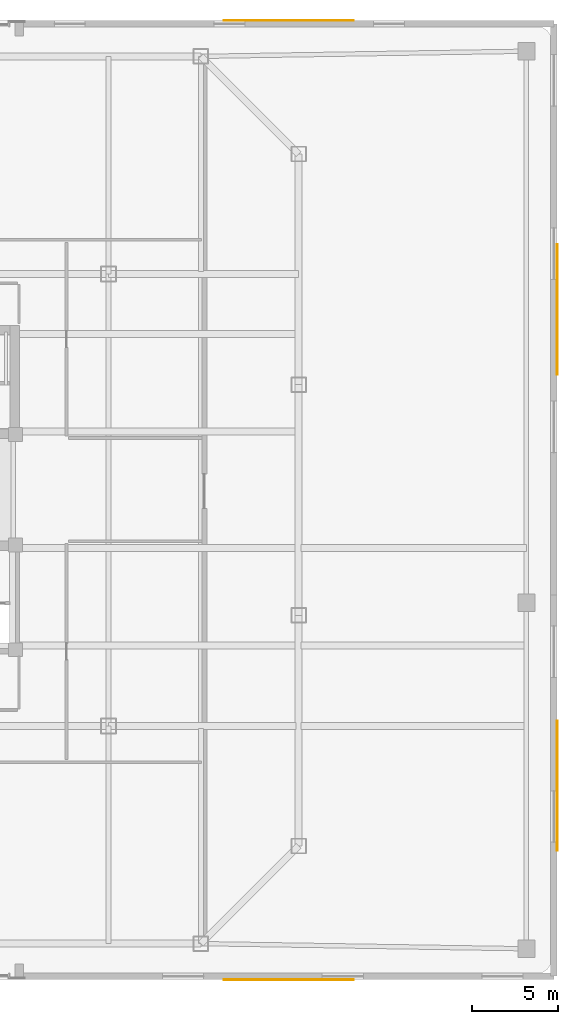
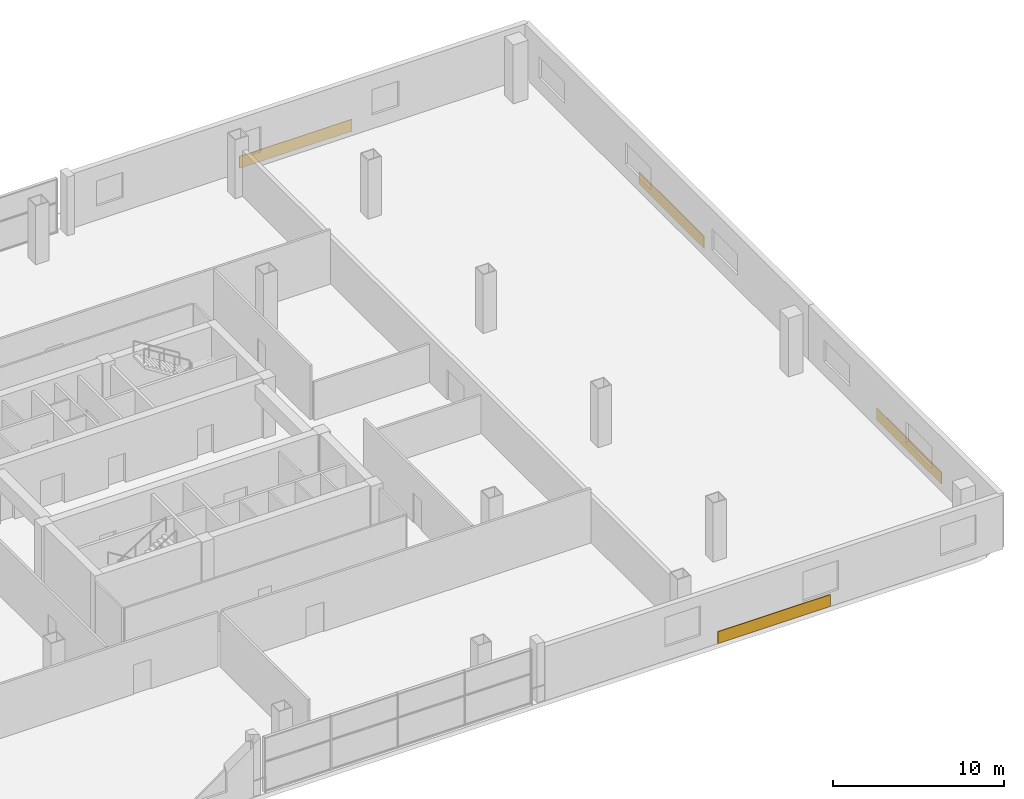
# One storey, part 21 of 21: 4 coverings.
"""IFC4 building model written with IfcOpenShell, lengths in metres."""

from ifc_helpers import new_model, si_unit, direction, frame, origin, origin_2d, place, context, subcontext, project, spatial, rectangle, extrude, material, layer, layer_set, type_object, element, save


model = new_model("IFC4")

# Units and contexts
model_context = context("Model", 3, precision=1e-05, world=origin(), true_north=direction((0.0, 1.0)))
body_context = subcontext(model_context, "Body", "Model", "MODEL_VIEW")
ifc_project = project(units=[si_unit("LENGTHUNIT", "METRE"), si_unit("AREAUNIT", "SQUARE_METRE"), si_unit("VOLUMEUNIT", "CUBIC_METRE"), si_unit("PLANEANGLEUNIT", "RADIAN"), si_unit("MASSUNIT", "GRAM", prefix="KILO")], contexts=[model_context])

# Site, building, storey
site_placement = place(None, origin())
site = spatial("IfcSite", under=ifc_project, at=site_placement, CompositionType="ELEMENT")
building_placement = place(site_placement, origin())
building = spatial("IfcBuilding", under=site, at=building_placement, Name="Qhalaya Broadcast Tower", CompositionType="ELEMENT")
storey_placement = place(building_placement, frame((0.0, 0.0, 13.5)))
storey = spatial("IfcBuildingStorey", under=building, at=storey_placement, Name="L03", CompositionType="ELEMENT", Elevation=13.5)

# Coverings
ifc_material = material(Name="Fired Architectural Terracotta", Category="masonry")
ifc_layer = layer(ifc_material, 0.044921875, Name="Fired Architectural Terracotta")
ifc_layer_set = layer_set([ifc_layer], Name="Fired Architectural Terracotta")
covering_type = type_object("IfcCoveringType", Name="Polychrome Terracotta Rainscreen Cladding CLD-01", PredefinedType="CLADDING", material=ifc_layer_set)
for number, where, z_axis, x_axis, name in (
    (1, (25.320068359375, -28.0, 0.02490234375), (0.0, 0.0, 1.0), (-1.0, 0.0, 0.0), "L03 Terracotta Spandrel Cladding EW-SE"),
    (2, (25.320068359375, 28.0, 0.02490234375), (0.0, 0.0, 1.0), (1.0, 0.0, 0.0), "L03 Terracotta Spandrel Cladding EW-NE"),
    (3, (41.0, -16.675048828125, 0.02490234375), (0.0, 0.0, 1.0), (0.0, -1.0, 0.0), "L03 Terracotta Spandrel Cladding EW-ES"),
    (4, (41.0, 11.125, 0.02490234375), (0.0, 0.0, 1.0), (0.0, -1.0, 0.0), "L03 Terracotta Spandrel Cladding EW-EN"),
):
    element("IfcCovering", number, at=place(storey_placement, frame(where, z_axis=z_axis, x_axis=x_axis)), inside=storey, type_object=covering_type, Name=name, PredefinedType="CLADDING", context=body_context, shape_type="SweptSolid", body=[
        extrude(rectangle(XDim=7.60009765625, YDim=0.044921875, at=origin_2d()), origin(), (0.0, 0.0, 1.0), 0.85009765625),
    ])

save(model, "model.ifc")
